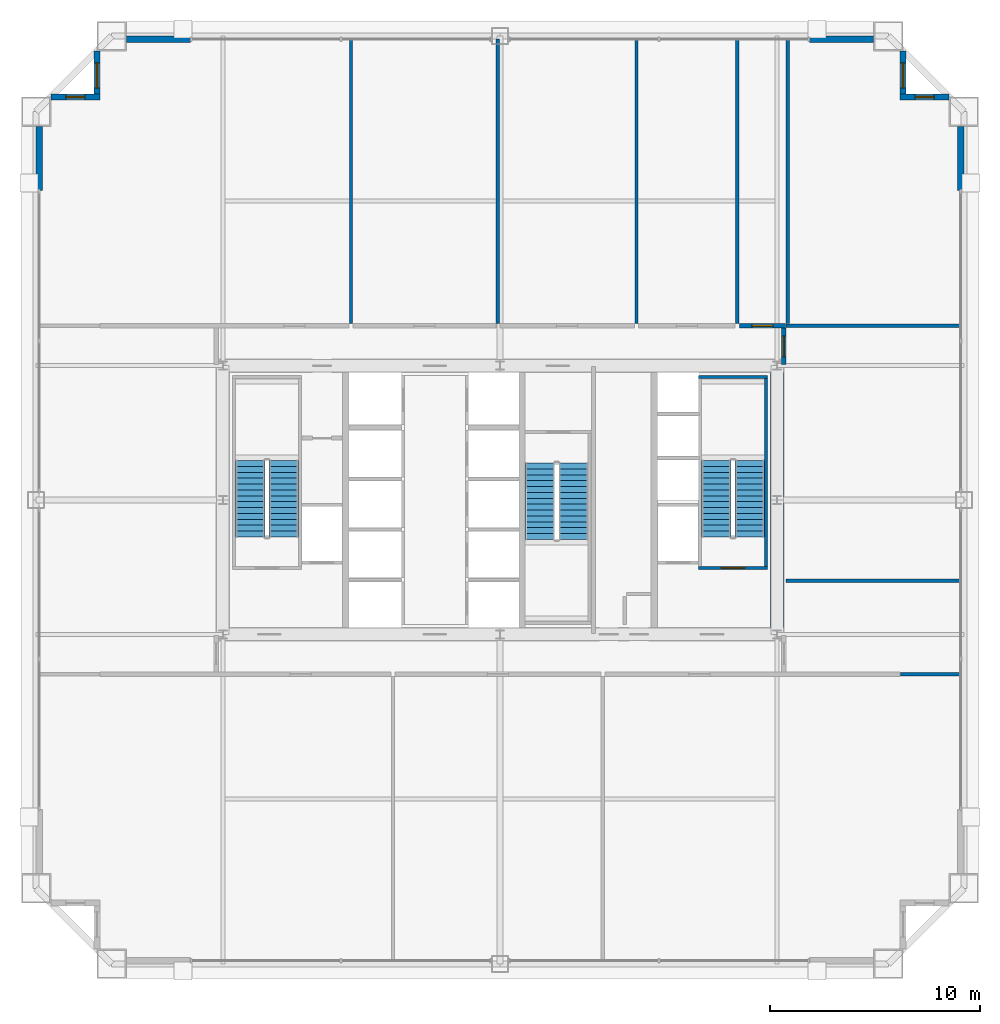
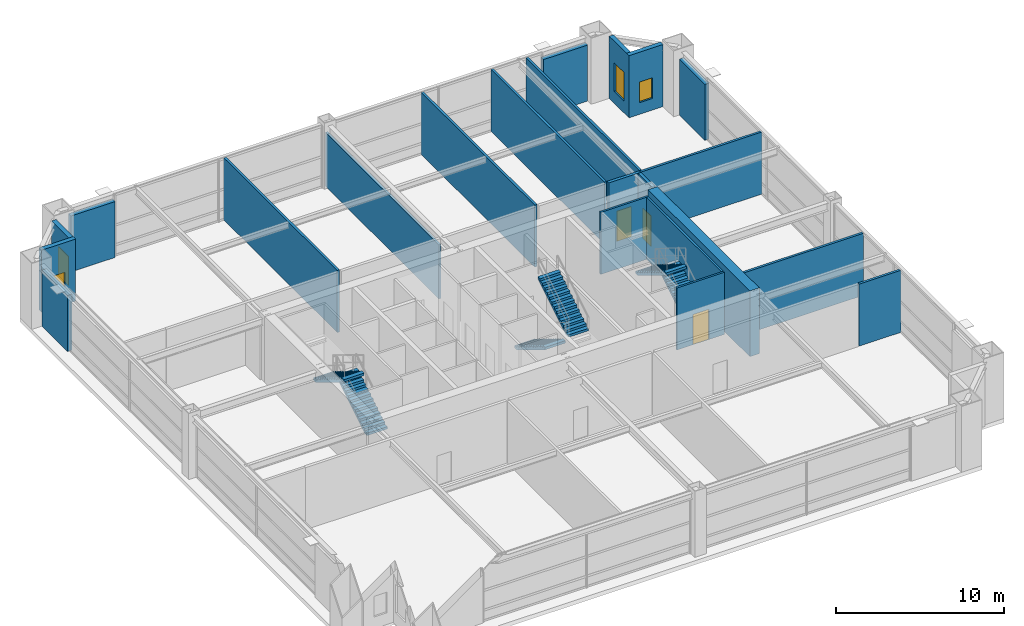
# One storey, part 33 of 34: 22 walls, 6 stair flights, 4 windows, 3 doors, 7 openings, 3 elements without a shape of their own.
"""IFC4 building model written with IfcOpenShell, lengths in metres."""

from ifc_helpers import new_model, si_unit, direction, frame, frame_2d, origin, place, context, subcontext, project, spatial, polyline, rectangle, outline, extrude, source, transform, mapped, material, layer, layer_set, type_object, element, fill, aggregate, save


model = new_model("IFC4")

# Units and contexts
model_context = context("Model", 3, precision=1e-05, world=origin(), true_north=direction((0.0, 1.0)))
body_context = subcontext(model_context, "Body", "Model", "MODEL_VIEW")
ifc_project = project(units=[si_unit("LENGTHUNIT", "METRE"), si_unit("AREAUNIT", "SQUARE_METRE"), si_unit("VOLUMEUNIT", "CUBIC_METRE"), si_unit("PLANEANGLEUNIT", "RADIAN"), si_unit("MASSUNIT", "GRAM", prefix="KILO"), si_unit("THERMODYNAMICTEMPERATUREUNIT", "KELVIN"), si_unit("POWERUNIT", "WATT")], contexts=[model_context])

# Site, building, storey
site_placement = place(None, origin())
site = spatial("IfcSite", under=ifc_project, at=site_placement, CompositionType="ELEMENT")
building_placement = place(site_placement, origin())
building = spatial("IfcBuilding", under=site, at=building_placement, Name="Yuzanri Waterfront Tower", CompositionType="ELEMENT")
storey_placement = place(building_placement, frame((0.0, 0.0, 171.60009765625)))
storey = spatial("IfcBuildingStorey", under=building, at=storey_placement, Name="L45", CompositionType="ELEMENT", Elevation=171.60009765625)

# Wall, opening, window
ifc_material_1 = material(Name="Honed Chongqing Dark Basalt Stone", Category="masonry")
ifc_layer_1 = layer(ifc_material_1, 0.300048828125)
ifc_layer_set_1 = layer_set([ifc_layer_1], Name="Honed Chongqing Dark Basalt Stone")
wall_type_1 = type_object("IfcWallType", Name="Bronze Rainscreen Insulated Spandrel Portal Wall 300", PredefinedType="SOLIDWALL", material=ifc_layer_set_1)
wall_1_placement = place(storey_placement, frame((17.949951171875, 45.0, 0.0), z_axis=(0.0, 0.0, 1.0), x_axis=(-1.0, 0.0, 0.0)))
wall_1 = element("IfcWall", 1, at=wall_1_placement, inside=storey, type_object=wall_type_1, Name="L45 Notched Corner Masonry Wall NW-X", PredefinedType="SOLIDWALL", context=body_context, shape_type="SweptSolid", body=[
    extrude(rectangle(XDim=2.349853515625, YDim=0.300048828125, at=frame_2d((1.1748046875, 0.0))), origin(), (0.0, 0.0, 1.0), 4.52001953125),
])
opening_1_placement = place(wall_1_placement, frame((0.72509765625, 0.0, 0.85009765625)))
opening_1 = element("IfcOpeningElement", 2, at=opening_1_placement, cuts=wall_1, Name="Opening WN-05", PredefinedType="OPENING", context=body_context, shape_type="SweptSolid", body=[
    extrude(rectangle(XDim=0.89990234375, YDim=1.5, at=frame_2d((0.449951171875, 0.75))), frame((0.0, 0.1650390625, 0.0), z_axis=(0.0, -1.0, 0.0), x_axis=(1.0, 0.0, 0.0)), (0.0, 0.0, 1.0), 0.329833984375),
])
ifc_material_2 = material(Name="Double-Silver Low-E Insulated Glass", Category="glass")
window_type_1 = type_object("IfcWindowType", Name="Anodized Bronze Service and Stairwell Smoke-Vent Window 900x1500", PartitioningType="SINGLE_PANEL", PredefinedType="WINDOW", material=ifc_material_2)
shared_shape_1 = source(origin(), body_context, "Body", "SweptSolid", [
    extrude(rectangle(XDim=0.89990234375, YDim=1.5, at=frame_2d((0.449951171875, 0.75))), frame((0.0, 0.030029296875, 0.0), z_axis=(0.0, -1.0, 0.0), x_axis=(1.0, 0.0, 0.0)), (0.0, 0.0, 1.0), 0.06005859375),
])
window_1_placement = place(opening_1_placement, origin())
window_1 = element("IfcWindow", 3, at=window_1_placement, inside=storey, type_object=window_type_1, Name="L45 Notched Corner Window NW-X", OverallHeight=1.5, OverallWidth=0.89990234375, PartitioningType="SINGLE_PANEL", PredefinedType="WINDOW", context=body_context, shape_type="MappedRepresentation", body=[
    mapped(shared_shape_1, transform((0.0, 0.0, 0.0), scale=1.0)),
])
fill(opening_1, window_1)

wall_2_placement = place(storey_placement, frame((17.800048828125, 47.199951171875, 0.0), z_axis=(0.0, 0.0, 1.0), x_axis=(0.0, -1.0, 0.0)))
wall_2 = element("IfcWall", 4, at=wall_2_placement, inside=storey, type_object=wall_type_1, Name="L45 Notched Corner Masonry Wall NW-Y", PredefinedType="SOLIDWALL", context=body_context, shape_type="SweptSolid", body=[
    extrude(rectangle(XDim=2.349853515625, YDim=0.300048828125, at=frame_2d((1.1748046875, 0.0))), origin(), (0.0, 0.0, 1.0), 4.52001953125),
])
opening_2_placement = place(wall_2_placement, frame((0.574951171875, 0.0, 0.85009765625)))
opening_2 = element("IfcOpeningElement", 5, at=opening_2_placement, cuts=wall_2, Name="Opening WN-02", PredefinedType="OPENING", context=body_context, shape_type="SweptSolid", body=[
    extrude(rectangle(XDim=1.199951171875, YDim=2.10009765625, at=frame_2d((0.60009765625, 1.050048828125))), frame((0.0, 0.1650390625, 0.0), z_axis=(0.0, -1.0, 0.0), x_axis=(1.0, 0.0, 0.0)), (0.0, 0.0, 1.0), 0.329833984375),
])
ifc_material_3 = material(Name="Double-Silver Low-E Insulated Glass", Category="glass")
window_type_2 = type_object("IfcWindowType", Name="Anodized Bronze Notched Corner Deep-Set Slot Window 1200x2100", PartitioningType="SINGLE_PANEL", PredefinedType="WINDOW", material=ifc_material_3)
shared_shape_2 = source(origin(), body_context, "Body", "SweptSolid", [
    extrude(rectangle(XDim=1.199951171875, YDim=2.10009765625, at=frame_2d((0.60009765625, 1.050048828125))), frame((0.0, 0.030029296875, 0.0), z_axis=(0.0, -1.0, 0.0), x_axis=(1.0, 0.0, 0.0)), (0.0, 0.0, 1.0), 0.06005859375),
])
window_2_placement = place(opening_2_placement, origin())
window_2 = element("IfcWindow", 6, at=window_2_placement, inside=storey, type_object=window_type_2, Name="L45 Notched Corner Window NW-Y", OverallHeight=2.10009765625, OverallWidth=1.199951171875, PartitioningType="SINGLE_PANEL", PredefinedType="WINDOW", context=body_context, shape_type="MappedRepresentation", body=[
    mapped(shared_shape_2, transform((0.0, 0.0, 0.0), scale=1.0)),
])
fill(opening_2, window_2)

wall_3_placement = place(storey_placement, frame((58.39990234375, 45.0, 0.0), z_axis=(0.0, 0.0, 1.0), x_axis=(-1.0, 0.0, 0.0)))
wall_3 = element("IfcWall", 7, at=wall_3_placement, inside=storey, type_object=wall_type_1, Name="L45 Notched Corner Masonry Wall NE-X", PredefinedType="SOLIDWALL", context=body_context, shape_type="SweptSolid", body=[
    extrude(rectangle(XDim=2.349853515625, YDim=0.300048828125, at=frame_2d((1.1748046875, 0.0))), origin(), (0.0, 0.0, 1.0), 4.52001953125),
])
opening_3_placement = place(wall_3_placement, frame((0.72509765625, 0.0, 0.85009765625)))
opening_3 = element("IfcOpeningElement", 8, at=opening_3_placement, cuts=wall_3, Name="Opening WN-05", PredefinedType="OPENING", context=body_context, shape_type="SweptSolid", body=[
    extrude(rectangle(XDim=0.89990234375, YDim=1.5, at=frame_2d((0.449951171875, 0.75))), frame((0.0, 0.1650390625, 0.0), z_axis=(0.0, -1.0, 0.0), x_axis=(1.0, 0.0, 0.0)), (0.0, 0.0, 1.0), 0.329833984375),
])
window_3_placement = place(opening_3_placement, origin())
window_3 = element("IfcWindow", 9, at=window_3_placement, inside=storey, type_object=window_type_1, Name="L45 Notched Corner Window NE-X", OverallHeight=1.5, OverallWidth=0.89990234375, PartitioningType="SINGLE_PANEL", PredefinedType="WINDOW", context=body_context, shape_type="MappedRepresentation", body=[
    mapped(shared_shape_1, transform((0.0, 0.0, 0.0), scale=1.0)),
])
fill(opening_3, window_3)

wall_4_placement = place(storey_placement, frame((56.199951171875, 44.85009765625, 0.0), z_axis=(0.0, 0.0, 1.0), x_axis=(0.0, 1.0, 0.0)))
wall_4 = element("IfcWall", 10, at=wall_4_placement, inside=storey, type_object=wall_type_1, Name="L45 Notched Corner Masonry Wall NE-Y", PredefinedType="SOLIDWALL", context=body_context, shape_type="SweptSolid", body=[
    extrude(rectangle(XDim=2.349853515625, YDim=0.300048828125, at=frame_2d((1.1748046875, 0.0))), origin(), (0.0, 0.0, 1.0), 4.52001953125),
])
opening_4_placement = place(wall_4_placement, frame((0.574951171875, 0.0, 0.85009765625)))
opening_4 = element("IfcOpeningElement", 11, at=opening_4_placement, cuts=wall_4, Name="Opening WN-02", PredefinedType="OPENING", context=body_context, shape_type="SweptSolid", body=[
    extrude(rectangle(XDim=1.199951171875, YDim=2.10009765625, at=frame_2d((0.60009765625, 1.050048828125))), frame((0.0, 0.1650390625, 0.0), z_axis=(0.0, -1.0, 0.0), x_axis=(1.0, 0.0, 0.0)), (0.0, 0.0, 1.0), 0.329833984375),
])
window_4_placement = place(opening_4_placement, origin())
window_4 = element("IfcWindow", 12, at=window_4_placement, inside=storey, type_object=window_type_2, Name="L45 Notched Corner Window NE-Y", OverallHeight=2.10009765625, OverallWidth=1.199951171875, PartitioningType="SINGLE_PANEL", PredefinedType="WINDOW", context=body_context, shape_type="MappedRepresentation", body=[
    mapped(shared_shape_2, transform((0.0, 0.0, 0.0), scale=1.0)),
])
fill(opening_4, window_4)

# Wall, opening, door
ifc_material_4 = material(Name="Concrete C40", Category="concrete")
ifc_layer_2 = layer(ifc_material_4, 0.139892578125)
ifc_layer_set_2 = layer_set([ifc_layer_2], Name="Concrete C40")
wall_type_2 = type_object("IfcWallType", Name="Core Stair Liner and Hoistway Shaft Wall 140", PredefinedType="SOLIDWALL", material=ifc_layer_set_2)
wall_5_placement = place(storey_placement, frame((46.4599609375, 22.570068359375, 0.0), z_axis=(0.0, 0.0, 1.0), x_axis=(1.0, 0.0, 0.0)))
wall_5 = element("IfcWall", 13, at=wall_5_placement, inside=storey, type_object=wall_type_2, Name="L45 Shaft Wall STW-L45-ST-02-S", PredefinedType="SOLIDWALL", context=body_context, shape_type="SweptSolid", body=[
    extrude(rectangle(XDim=3.280029296875, YDim=0.139892578125, at=frame_2d((1.64013671875, 0.0))), origin(), (0.0, 0.0, 1.0), 4.52001953125),
])
opening_5_placement = place(wall_5_placement, frame((1.090087890625, 0.0, 0.0)))
opening_5 = element("IfcOpeningElement", 14, at=opening_5_placement, cuts=wall_5, Name="Opening FD-1100", PredefinedType="OPENING", context=body_context, shape_type="SweptSolid", body=[
    extrude(rectangle(XDim=1.10009765625, YDim=2.199951171875, at=frame_2d((0.550048828125, 1.10009765625))), frame((0.0, 0.0849609375, 0.0), z_axis=(0.0, -1.0, 0.0), x_axis=(1.0, 0.0, 0.0)), (0.0, 0.0, 1.0), 0.169677734375),
])
ifc_material_5 = material(Name="Painted Galvanized Fire Steel", Category="steel")
door_type_1 = type_object("IfcDoorType", Name="Smoke-Proof Stair and Lobby Fire Door 1100x2200", OperationType="NOTDEFINED", PredefinedType="DOOR", material=ifc_material_5)
shared_shape_3 = source(origin(), body_context, "Body", "SweptSolid", [
    extrude(rectangle(XDim=1.10009765625, YDim=2.199951171875, at=frame_2d((0.550048828125, 1.10009765625))), frame((0.0, 0.02490234375, 0.0), z_axis=(0.0, -1.0, 0.0), x_axis=(1.0, 0.0, 0.0)), (0.0, 0.0, 1.0), 0.050048828125),
])
door_1_placement = place(opening_5_placement, origin())
door_1 = element("IfcDoor", 15, at=door_1_placement, inside=storey, type_object=door_type_1, Name="L45 Stair ST-02 Fire Door", OperationType="SINGLE_SWING_RIGHT", OverallHeight=2.199951171875, OverallWidth=1.10009765625, PredefinedType="DOOR", context=body_context, shape_type="MappedRepresentation", body=[
    mapped(shared_shape_3, transform((0.0, 0.0, 0.0), scale=1.0)),
])
fill(opening_5, door_1)

ifc_material_6 = material(Name="Autoclaved Aerated Concrete Blockwork", Category="masonry")
ifc_layer_3 = layer(ifc_material_6, 0.199951171875)
ifc_layer_set_3 = layer_set([ifc_layer_3], Name="Autoclaved Aerated Concrete Blockwork")
wall_type_3 = type_object("IfcWallType", Name="Corridor and Unit Party Fire Wall 200", PredefinedType="PARTITIONING", material=ifc_layer_set_3)
wall_6_placement = place(storey_placement, frame((50.52001953125, 32.25, 0.0), z_axis=(0.0, 0.0, 1.0), x_axis=(0.0, 1.0, 0.0)))
wall_6 = element("IfcWall", 16, at=wall_6_placement, inside=storey, type_object=wall_type_3, Name="L45 Partition SLW-L45-019-WC2", PredefinedType="PARTITIONING", context=body_context, shape_type="SweptSolid", body=[
    extrude(rectangle(XDim=1.739990234375, YDim=0.199951171875, at=frame_2d((0.8701171875, 0.0))), origin(), (0.0, 0.0, 1.0), 4.52001953125),
])
opening_6_placement = place(wall_6_placement, frame((0.3701171875, 0.0, 0.0)))
opening_6 = element("IfcOpeningElement", 17, at=opening_6_placement, cuts=wall_6, Name="Opening FD-1000", PredefinedType="OPENING", context=body_context, shape_type="SweptSolid", body=[
    extrude(rectangle(XDim=1.0, YDim=2.199951171875, at=frame_2d((0.5, 1.10009765625))), frame((0.0, 0.11474609375, 0.0), z_axis=(0.0, -1.0, 0.0), x_axis=(1.0, 0.0, 0.0)), (0.0, 0.0, 1.0), 0.229736328125),
])
ifc_material_7 = material(Name="Engineered Oak Fire-Rated Timber", Category="wood")
door_type_2 = type_object("IfcDoorType", Name="Guestroom and Apartment Entrance Fire Door 1000x2200", OperationType="NOTDEFINED", PredefinedType="DOOR", material=ifc_material_7)
shared_shape_4 = source(origin(), body_context, "Body", "SweptSolid", [
    extrude(rectangle(XDim=1.0, YDim=2.199951171875, at=frame_2d((0.5, 1.10009765625))), frame((0.0, 0.02490234375, 0.0), z_axis=(0.0, -1.0, 0.0), x_axis=(1.0, 0.0, 0.0)), (0.0, 0.0, 1.0), 0.050048828125),
])
door_2_placement = place(opening_6_placement, origin())
door_2 = element("IfcDoor", 18, at=door_2_placement, inside=storey, type_object=door_type_2, Name="L45 Club Beverage Store", OperationType="SINGLE_SWING_RIGHT", OverallHeight=2.199951171875, OverallWidth=1.0, PredefinedType="DOOR", context=body_context, shape_type="MappedRepresentation", body=[
    mapped(shared_shape_4, transform((0.0, 0.0, 0.0), scale=1.0)),
])
fill(opening_6, door_2)

wall_7_placement = place(storey_placement, frame((48.39990234375, 34.10009765625, 0.0), z_axis=(0.0, 0.0, 1.0), x_axis=(1.0, 0.0, 0.0)))
wall_7 = element("IfcWall", 19, at=wall_7_placement, inside=storey, type_object=wall_type_3, Name="L45 Partition SLW-L45-024-S", PredefinedType="PARTITIONING", context=body_context, shape_type="SweptSolid", body=[
    extrude(rectangle(XDim=2.2001953125, YDim=0.199951171875, at=frame_2d((1.10009765625, 0.0))), origin(), (0.0, 0.0, 1.0), 4.52001953125),
])
opening_7_placement = place(wall_7_placement, frame((0.60009765625, 0.0, 0.0)))
opening_7 = element("IfcOpeningElement", 20, at=opening_7_placement, cuts=wall_7, Name="Opening FD-1000", PredefinedType="OPENING", context=body_context, shape_type="SweptSolid", body=[
    extrude(rectangle(XDim=1.0, YDim=2.199951171875, at=frame_2d((0.5, 1.10009765625))), frame((0.0, 0.11474609375, 0.0), z_axis=(0.0, -1.0, 0.0), x_axis=(1.0, 0.0, 0.0)), (0.0, 0.0, 1.0), 0.229736328125),
])
door_3_placement = place(opening_7_placement, origin())
door_3 = element("IfcDoor", 21, at=door_3_placement, inside=storey, type_object=door_type_2, Name="L45 Accessible WC", OperationType="SINGLE_SWING_LEFT", OverallHeight=2.199951171875, OverallWidth=1.0, PredefinedType="DOOR", context=body_context, shape_type="MappedRepresentation", body=[
    mapped(shared_shape_4, transform((0.0, 0.0, 0.0), scale=1.0)),
])
fill(opening_7, door_3)

# Walls
ifc_material_8 = material(Name="Concrete C50", Category="concrete")
ifc_layer_4 = layer(ifc_material_8, 0.64990234375)
ifc_layer_set_4 = layer_set([ifc_layer_4], Name="Concrete C50")
wall_type_4 = type_object("IfcWallType", Name="Concrete C50 Mid Zone Core Shear Wall 650", PredefinedType="SHEAR", material=ifc_layer_set_4)
shared_shape_5 = source(origin(), body_context, "Body", "SweptSolid", [
    extrude(rectangle(XDim=12.14990234375, YDim=0.64990234375, at=frame_2d((6.074951171875, 0.0))), origin(), (0.0, 0.0, 1.0), 4.7998046875),
])
wall_8_placement = place(storey_placement, frame((50.199951171875, 19.72509765625, 0.0), z_axis=(0.0, 0.0, 1.0), x_axis=(0.0, 1.0, 0.0)))
element("IfcWall", 22, at=wall_8_placement, inside=storey, type_object=wall_type_4, Name="L45 Core East Shear Wall", PredefinedType="SHEAR", context=body_context, shape_type="MappedRepresentation", body=[
    mapped(shared_shape_5, transform((0.0, 0.0, 0.0), scale=1.0)),
])
shared_shape_6 = source(origin(), body_context, "Body", "SweptSolid", [
    extrude(rectangle(XDim=3.050048828125, YDim=0.300048828125, at=frame_2d((1.52490234375, 0.0))), origin(), (0.0, 0.0, 1.0), 4.074951171875),
])
for number, where, z_axis, x_axis, name in (
    (23, (19.199951171875, 47.75, 0.0), (0.0, 0.0, 1.0), (1.0, 0.0, 0.0), "L45 N Left Braced Masonry Shoulder"),
    (24, (51.75, 47.75, 0.0), (0.0, 0.0, 1.0), (1.0, 0.0, 0.0), "L45 N Right Braced Masonry Shoulder"),
    (25, (15.050048828125, 40.550048828125, 0.0), (0.0, 0.0, 1.0), (0.0, 1.0, 0.0), "L45 W Right Braced Masonry Shoulder"),
    (26, (58.949951171875, 40.550048828125, 0.0), (0.0, 0.0, 1.0), (0.0, 1.0, 0.0), "L45 E Right Braced Masonry Shoulder"),
):
    element("IfcWall", number, at=place(storey_placement, frame(where, z_axis=z_axis, x_axis=x_axis)), inside=storey, type_object=wall_type_1, Name=name, PredefinedType="SOLIDWALL", context=body_context, shape_type="MappedRepresentation", body=[
        mapped(shared_shape_6, transform((0.0, 0.0, 0.0), scale=1.0)),
    ])
shared_shape_7 = source(origin(), body_context, "Body", "SweptSolid", [
    extrude(rectangle(XDim=3.280029296875, YDim=0.139892578125, at=frame_2d((1.64013671875, 0.0))), origin(), (0.0, 0.0, 1.0), 4.52001953125),
])
wall_9_placement = place(storey_placement, frame((46.4599609375, 31.64990234375, 0.0), z_axis=(0.0, 0.0, 1.0), x_axis=(1.0, 0.0, 0.0)))
element("IfcWall", 27, at=wall_9_placement, inside=storey, type_object=wall_type_2, Name="L45 Stair ST-02 North Shaft Wall", PredefinedType="SOLIDWALL", context=body_context, shape_type="MappedRepresentation", body=[
    mapped(shared_shape_7, transform((0.0, 0.0, 0.0), scale=1.0)),
])
shared_shape_8 = source(origin(), body_context, "Body", "SweptSolid", [
    extrude(rectangle(XDim=8.940185546875, YDim=0.139892578125, at=frame_2d((4.47021484375, 0.0))), origin(), (0.0, 0.0, 1.0), 4.52001953125),
])
wall_10_placement = place(storey_placement, frame((49.669921875, 22.639892578125, 0.0), z_axis=(0.0, 0.0, 1.0), x_axis=(0.0, 1.0, 0.0)))
element("IfcWall", 28, at=wall_10_placement, inside=storey, type_object=wall_type_2, Name="L45 Stair ST-02 East Shaft Wall", PredefinedType="SOLIDWALL", context=body_context, shape_type="MappedRepresentation", body=[
    mapped(shared_shape_8, transform((0.0, 0.0, 0.0), scale=1.0)),
])
ifc_material_9 = material(Name="Gypsum Fireboard Acoustic Stud Wall", Category="gypsum")
ifc_layer_5 = layer(ifc_material_9, 0.159912109375)
ifc_layer_set_5 = layer_set([ifc_layer_5], Name="Gypsum Fireboard Acoustic Stud Wall")
wall_type_5 = type_object("IfcWallType", Name="Acoustic Suite Demising Partition 160", PredefinedType="PARTITIONING", material=ifc_layer_set_5)
shared_shape_9 = source(origin(), body_context, "Body", "SweptSolid", [
    extrude(rectangle(XDim=2.8798828125, YDim=0.159912109375, at=frame_2d((1.43994140625, 0.0))), origin(), (0.0, 0.0, 1.0), 4.52001953125),
])
wall_11_placement = place(storey_placement, frame((56.070068359375, 17.5, 0.0), z_axis=(0.0, 0.0, 1.0), x_axis=(1.0, 0.0, 0.0)))
element("IfcWall", 29, at=wall_11_placement, inside=storey, type_object=wall_type_5, Name="L45-018 South Wing Wall", PredefinedType="PARTITIONING", context=body_context, shape_type="MappedRepresentation", body=[
    mapped(shared_shape_9, transform((0.0, 0.0, 0.0), scale=1.0)),
])
shared_shape_10 = source(origin(), body_context, "Body", "SweptSolid", [
    extrude(rectangle(XDim=8.320068359375, YDim=0.159912109375, at=frame_2d((4.16015625, 0.0))), origin(), (0.0, 0.0, 1.0), 4.52001953125),
])
wall_12_placement = place(storey_placement, frame((50.6298828125, 21.949951171875, 0.0), z_axis=(0.0, 0.0, 1.0), x_axis=(1.0, 0.0, 0.0)))
element("IfcWall", 30, at=wall_12_placement, inside=storey, type_object=wall_type_5, Name="L45-018 East Wing Shared Partition", PredefinedType="PARTITIONING", context=body_context, shape_type="MappedRepresentation", body=[
    mapped(shared_shape_10, transform((0.0, 0.0, 0.0), scale=1.0)),
])
shared_shape_11 = source(origin(), body_context, "Body", "SweptSolid", [
    extrude(rectangle(XDim=8.329833984375, YDim=0.159912109375, at=frame_2d((4.1650390625, 0.0))), origin(), (0.0, 0.0, 1.0), 4.52001953125),
])
wall_13_placement = place(storey_placement, frame((50.6201171875, 34.10009765625, 0.0), z_axis=(0.0, 0.0, 1.0), x_axis=(1.0, 0.0, 0.0)))
element("IfcWall", 31, at=wall_13_placement, inside=storey, type_object=wall_type_5, Name="L45-019 North Wing Wall", PredefinedType="PARTITIONING", context=body_context, shape_type="MappedRepresentation", body=[
    mapped(shared_shape_11, transform((0.0, 0.0, 0.0), scale=1.0)),
])
shared_shape_12 = source(origin(), body_context, "Body", "SweptSolid", [
    extrude(rectangle(XDim=13.5400390625, YDim=0.159912109375, at=frame_2d((6.77001953125, 0.0))), origin(), (0.0, 0.0, 1.0), 4.52001953125),
])
for number, where, z_axis, x_axis, name in (
    (32, (29.89990234375, 34.2099609375, 0.0), (0.0, 0.0, 1.0), (0.0, 1.0, 0.0), "L45-020 Demising Wall"),
    (33, (43.5, 34.2099609375, 0.0), (0.0, 0.0, 1.0), (0.0, 1.0, 0.0), "L45-022 Demising Wall"),
    (34, (48.300048828125, 34.2099609375, 0.0), (0.0, 0.0, 1.0), (0.0, 1.0, 0.0), "L45-023 Demising Wall"),
    (35, (50.699951171875, 34.2099609375, 0.0), (0.0, 0.0, 1.0), (0.0, 1.0, 0.0), "L45-024 Demising Wall"),
):
    element("IfcWall", number, at=place(storey_placement, frame(where, z_axis=z_axis, x_axis=x_axis)), inside=storey, type_object=wall_type_5, Name=name, PredefinedType="PARTITIONING", context=body_context, shape_type="MappedRepresentation", body=[
        mapped(shared_shape_12, transform((0.0, 0.0, 0.0), scale=1.0)),
    ])
shared_shape_13 = source(origin(), body_context, "Body", "SweptSolid", [
    extrude(rectangle(XDim=13.5400390625, YDim=0.159912109375, at=frame_2d((6.77001953125, 0.0))), origin(), (0.0, 0.0, 1.0), 3.927001953125),
])
wall_14_placement = place(storey_placement, frame((36.89990234375, 34.2099609375, 0.0), z_axis=(0.0, 0.0, 1.0), x_axis=(0.0, 1.0, 0.0)))
element("IfcWall", 36, at=wall_14_placement, inside=storey, type_object=wall_type_5, Name="L45-021 Demising Wall", PredefinedType="PARTITIONING", context=body_context, shape_type="MappedRepresentation", body=[
    mapped(shared_shape_13, transform((0.0, 0.0, 0.0), scale=1.0)),
])

# Stair, stair flights
ifc_material_10 = material(Name="Concrete C40", Category="concrete")
stair_type = type_object("IfcStairType", Name="Concrete C40 Core Dogleg Exit Stair", PredefinedType="HALF_TURN_STAIR", material=ifc_material_10)
stair_1_placement = place(storey_placement, origin())
stair_1 = element("IfcStair", 37, at=stair_1_placement, inside=storey, type_object=stair_type, Name="L45 Smoke-Proof Core Stair ST-01", PredefinedType="HALF_TURN_STAIR")
ifc_material_11 = material(Name="Concrete C40", Category="concrete")
stair_flight_type = type_object("IfcStairFlightType", Name="Concrete C40 Tall-Storey Precast Stair Flight 1380", PredefinedType="STRAIGHT", material=ifc_material_11)
shared_shape_14 = source(origin(), body_context, "Body", "SweptSolid", [
    extrude(outline(polyline([(0.0, 0.0), (0.0, 0.17138671875), (0.280029296875, 0.17138671875), (0.280029296875, 0.3427734375), (0.56005859375, 0.3427734375), (0.56005859375, 0.514404296875), (0.840087890625, 0.514404296875), (0.840087890625, 0.685791015625), (1.1201171875, 0.685791015625), (1.1201171875, 0.857177734375), (1.39990234375, 0.857177734375), (1.39990234375, 1.028564453125), (1.679931640625, 1.028564453125), (1.679931640625, 1.199951171875), (1.9599609375, 1.199951171875), (1.9599609375, 1.371337890625), (2.239990234375, 1.371337890625), (2.239990234375, 1.54296875), (2.52001953125, 1.54296875), (2.52001953125, 1.71435546875), (2.800048828125, 1.71435546875), (2.800048828125, 1.8857421875), (3.080078125, 1.8857421875), (3.080078125, 2.05712890625), (3.360107421875, 2.05712890625), (3.360107421875, 2.228515625), (3.639892578125, 2.228515625), (3.639892578125, 2.39990234375), (3.639892578125, 2.052734375), (0.287109375, 0.0), (0.0, 0.0)])), frame((0.0, 0.699951171875, 0.0), z_axis=(0.0, -1.0, 0.0), x_axis=(1.0, 0.0, 0.0)), (0.0, 0.0, 1.0), 1.39990234375),
])
stair_flight_1_placement = place(storey_placement, frame((26.699951171875, 24.0400390625, 0.0), z_axis=(0.0, 0.0, 1.0), x_axis=(0.0, 1.0, 0.0)))
stair_flight_1 = element("IfcStairFlight", 38, at=stair_flight_1_placement, type_object=stair_flight_type, Name="ST-01 flight 1", NumberOfRisers=14, NumberOfTreads=13, PredefinedType="STRAIGHT", RiserHeight=0.171428571, TreadLength=0.28, context=body_context, shape_type="MappedRepresentation", body=[
    mapped(shared_shape_14, transform((0.0, 0.0, 0.0), scale=1.0)),
])
stair_flight_2_placement = place(storey_placement, frame((25.10009765625, 27.679931640625, 2.39990234375), z_axis=(0.0, 0.0, 1.0), x_axis=(0.0, -1.0, 0.0)))
stair_flight_2 = element("IfcStairFlight", 39, at=stair_flight_2_placement, type_object=stair_flight_type, Name="ST-01 flight 2", NumberOfRisers=14, NumberOfTreads=13, PredefinedType="STRAIGHT", RiserHeight=0.171428571, TreadLength=0.28, context=body_context, shape_type="MappedRepresentation", body=[
    mapped(shared_shape_14, transform((0.0, 0.0, 0.0), scale=1.0)),
])
aggregate(stair_1, [stair_flight_1, stair_flight_2])

stair_2_placement = place(storey_placement, origin())
stair_2 = element("IfcStair", 40, at=stair_2_placement, inside=storey, type_object=stair_type, Name="L45 Smoke-Proof Core Stair ST-02", PredefinedType="HALF_TURN_STAIR")
stair_flight_3_placement = place(storey_placement, frame((48.89990234375, 24.0400390625, 0.0), z_axis=(0.0, 0.0, 1.0), x_axis=(0.0, 1.0, 0.0)))
stair_flight_3 = element("IfcStairFlight", 41, at=stair_flight_3_placement, type_object=stair_flight_type, Name="ST-02 flight 1", NumberOfRisers=14, NumberOfTreads=13, PredefinedType="STRAIGHT", RiserHeight=0.171428571, TreadLength=0.28, context=body_context, shape_type="MappedRepresentation", body=[
    mapped(shared_shape_14, transform((0.0, 0.0, 0.0), scale=1.0)),
])
stair_flight_4_placement = place(storey_placement, frame((47.300048828125, 27.679931640625, 2.39990234375), z_axis=(0.0, 0.0, 1.0), x_axis=(0.0, -1.0, 0.0)))
stair_flight_4 = element("IfcStairFlight", 42, at=stair_flight_4_placement, type_object=stair_flight_type, Name="ST-02 flight 2", NumberOfRisers=14, NumberOfTreads=13, PredefinedType="STRAIGHT", RiserHeight=0.171428571, TreadLength=0.28, context=body_context, shape_type="MappedRepresentation", body=[
    mapped(shared_shape_14, transform((0.0, 0.0, 0.0), scale=1.0)),
])
aggregate(stair_2, [stair_flight_3, stair_flight_4])

stair_3_placement = place(storey_placement, origin())
stair_3 = element("IfcStair", 43, at=stair_3_placement, inside=storey, type_object=stair_type, Name="L45 Smoke-Proof Core Stair ST-03", PredefinedType="HALF_TURN_STAIR")
stair_flight_5_placement = place(storey_placement, frame((38.89990234375, 27.56005859375, 0.0), z_axis=(0.0, 0.0, 1.0), x_axis=(0.0, -1.0, 0.0)))
stair_flight_5 = element("IfcStairFlight", 44, at=stair_flight_5_placement, type_object=stair_flight_type, Name="ST-03 flight 1", NumberOfRisers=14, NumberOfTreads=13, PredefinedType="STRAIGHT", RiserHeight=0.171428571, TreadLength=0.28, context=body_context, shape_type="MappedRepresentation", body=[
    mapped(shared_shape_14, transform((0.0, 0.0, 0.0), scale=1.0)),
])
stair_flight_6_placement = place(storey_placement, frame((40.5, 23.919921875, 2.39990234375), z_axis=(0.0, 0.0, 1.0), x_axis=(0.0, 1.0, 0.0)))
stair_flight_6 = element("IfcStairFlight", 45, at=stair_flight_6_placement, type_object=stair_flight_type, Name="ST-03 flight 2", NumberOfRisers=14, NumberOfTreads=13, PredefinedType="STRAIGHT", RiserHeight=0.171428571, TreadLength=0.28, context=body_context, shape_type="MappedRepresentation", body=[
    mapped(shared_shape_14, transform((0.0, 0.0, 0.0), scale=1.0)),
])
aggregate(stair_3, [stair_flight_5, stair_flight_6])

save(model, "model.ifc")
